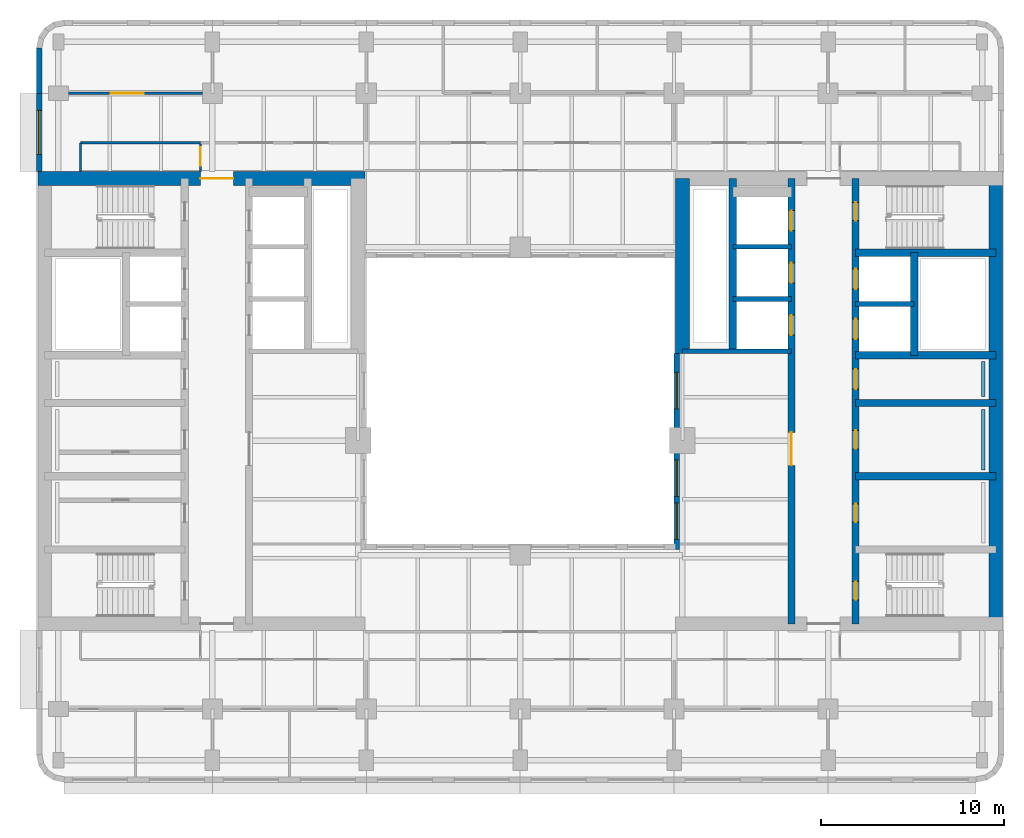
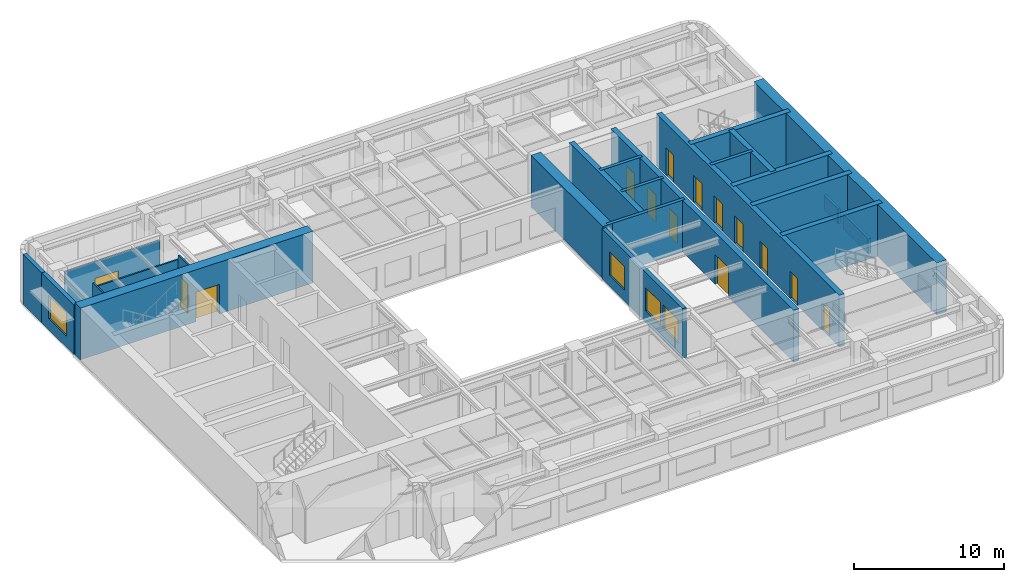
# One storey, part 6 of 11: 24 walls, 14 doors, 4 windows, 18 openings.
"""IFC4 building model written with IfcOpenShell, lengths in metres."""

from ifc_helpers import new_model, si_unit, direction, frame, frame_2d, origin, place, context, subcontext, project, spatial, rectangle, extrude, material, layer, layer_set, type_object, element, fill, save


model = new_model("IFC4")

# Units and contexts
model_context = context("Model", 3, precision=1e-05, world=origin(), true_north=direction((0.0, 1.0)))
body_context = subcontext(model_context, "Body", "Model", "MODEL_VIEW")
ifc_project = project(units=[si_unit("LENGTHUNIT", "METRE"), si_unit("AREAUNIT", "SQUARE_METRE"), si_unit("VOLUMEUNIT", "CUBIC_METRE"), si_unit("PLANEANGLEUNIT", "RADIAN"), si_unit("MASSUNIT", "GRAM", prefix="KILO")], contexts=[model_context])

# Site, building, storey
site_placement = place(None, origin())
site = spatial("IfcSite", under=ifc_project, at=site_placement, CompositionType="ELEMENT")
building_placement = place(site_placement, origin())
building = spatial("IfcBuilding", under=site, at=building_placement, Name="Claustro Exchange Tower", CompositionType="ELEMENT")
storey_placement = place(building_placement, frame((0.0, 0.0, 207.0)))
storey = spatial("IfcBuildingStorey", under=building, at=storey_placement, Name="L47", CompositionType="ELEMENT", Elevation=207.0)

# Wall, opening, door
ifc_material_1 = material(Name="Laminated glass in aluminium frame", Category="aluminium")
ifc_layer_1 = layer(ifc_material_1, 0.1201171875)
ifc_layer_set_1 = layer_set([ifc_layer_1], Name="Laminated glass in aluminium frame")
wall_type_1 = type_object("IfcWallType", Name="P2 120 glazed partition", PredefinedType="PARTITIONING", material=ifc_layer_set_1)
wall_1_placement = place(storey_placement, frame((0.549072265625, 42.0, 0.0), z_axis=(0.0, 0.0, 1.0), x_axis=(1.0, 0.0, 0.0)))
wall_1 = element("IfcWall", 1, at=wall_1_placement, inside=storey, type_object=wall_type_1, Name="Partition P2 L47", PredefinedType="PARTITIONING", context=body_context, shape_type="SweptSolid", body=[
    extrude(rectangle(XDim=7.302001953125, YDim=0.1201171875, at=frame_2d((3.65087890625, 0.0))), origin(), (0.0, 0.0, 1.0), 3.550048828125),
])
opening_1_placement = place(wall_1_placement, frame((2.301025390625, 0.0, 0.0)))
opening_1 = element("IfcOpeningElement", 2, at=opening_1_placement, cuts=wall_1, Name="Opening D2", PredefinedType="OPENING", context=body_context, shape_type="SweptSolid", body=[
    extrude(rectangle(XDim=1.800048828125, YDim=2.199951171875, at=frame_2d((0.89990234375, 1.10009765625))), frame((0.0, 0.070068359375, 0.0), z_axis=(0.0, -1.0, 0.0), x_axis=(1.0, 0.0, 0.0)), (0.0, 0.0, 1.0), 0.14013671875),
])
ifc_material_2 = material(Name="Timber door, oak veneer", Category="wood")
door_type_1 = type_object("IfcDoorType", Name="D2 1800 x 2200 double door", OperationType="DOUBLE_DOOR_SINGLE_SWING", PredefinedType="DOOR", material=ifc_material_2)
door_1_placement = place(opening_1_placement, origin())
door_1 = element("IfcDoor", 3, at=door_1_placement, inside=storey, type_object=door_type_1, Name="Double door D2 L47", OperationType="DOUBLE_DOOR_SINGLE_SWING", OverallHeight=2.199951171875, OverallWidth=1.800048828125, PredefinedType="DOOR", context=body_context, shape_type="SweptSolid", body=[
    extrude(rectangle(XDim=1.800048828125, YDim=2.199951171875, at=frame_2d((0.89990234375, 1.10009765625))), frame((0.0, 0.02490234375, 0.0), z_axis=(0.0, -1.0, 0.0), x_axis=(1.0, 0.0, 0.0)), (0.0, 0.0, 1.0), 0.050048828125),
])
fill(opening_1, door_1)

wall_2_placement = place(storey_placement, frame((7.75, 37.72412109375, 0.0), z_axis=(0.0, 0.0, 1.0), x_axis=(0.0, 1.0, 0.0)))
wall_2 = element("IfcWall", 4, at=wall_2_placement, inside=storey, type_object=wall_type_1, Name="Partition P2 L47", PredefinedType="PARTITIONING", context=body_context, shape_type="SweptSolid", body=[
    extrude(rectangle(XDim=1.517822265625, YDim=0.1201171875, at=frame_2d((0.7587890625, 0.0))), origin(), (0.0, 0.0, 1.0), 4.050048828125),
])
opening_2_placement = place(wall_2_placement, frame((0.325927734375, 0.0, 0.0)))
opening_2 = element("IfcOpeningElement", 5, at=opening_2_placement, cuts=wall_2, Name="Opening D7", PredefinedType="OPENING", context=body_context, shape_type="SweptSolid", body=[
    extrude(rectangle(XDim=1.0, YDim=2.39990234375, at=frame_2d((0.5, 1.199951171875))), frame((0.0, 0.070068359375, 0.0), z_axis=(0.0, -1.0, 0.0), x_axis=(1.0, 0.0, 0.0)), (0.0, 0.0, 1.0), 0.14013671875),
])
ifc_material_3 = material(Name="Glass door in aluminium frame", Category="aluminium")
door_type_2 = type_object("IfcDoorType", Name="D7 1000 x 2400 glazed door", OperationType="SINGLE_SWING_LEFT", PredefinedType="DOOR", material=ifc_material_3)
door_2_placement = place(opening_2_placement, origin())
door_2 = element("IfcDoor", 6, at=door_2_placement, inside=storey, type_object=door_type_2, Name="Door D7 L47", OperationType="SINGLE_SWING_LEFT", OverallHeight=2.39990234375, OverallWidth=1.0, PredefinedType="DOOR", context=body_context, shape_type="SweptSolid", body=[
    extrude(rectangle(XDim=1.0, YDim=2.39990234375, at=frame_2d((0.5, 1.199951171875))), frame((0.0, 0.02490234375, 0.0), z_axis=(0.0, -1.0, 0.0), x_axis=(1.0, 0.0, 0.0)), (0.0, 0.0, 1.0), 0.050048828125),
])
fill(opening_2, door_2)

# Walls
wall_3_placement = place(storey_placement, frame((1.199951171875, 39.300048828125, 0.0), z_axis=(0.0, 0.0, 1.0), x_axis=(1.0, 0.0, 0.0)))
element("IfcWall", 7, at=wall_3_placement, inside=storey, type_object=wall_type_1, Name="Partition P2 L47", PredefinedType="PARTITIONING", context=body_context, shape_type="SweptSolid", body=[
    extrude(rectangle(XDim=6.552001953125, YDim=0.1201171875, at=frame_2d((3.27587890625, 0.0))), origin(), (0.0, 0.0, 1.0), 3.68994140625),
])
wall_4_placement = place(storey_placement, frame((1.199951171875, 37.72412109375, 0.0), z_axis=(0.0, 0.0, 1.0), x_axis=(0.0, 1.0, 0.0)))
element("IfcWall", 8, at=wall_4_placement, inside=storey, type_object=wall_type_1, Name="Partition P2 L47", PredefinedType="PARTITIONING", context=body_context, shape_type="SweptSolid", body=[
    extrude(rectangle(XDim=1.575927734375, YDim=0.1201171875, at=frame_2d((0.7880859375, 0.0))), origin(), (0.0, 0.0, 1.0), 4.050048828125),
])

# Wall, opening, window
ifc_material_4 = material(Name="Concrete HA-40 (C40/50), precast, white cement, acid-etched", Category="concrete")
ifc_layer_2 = layer(ifc_material_4, 0.300048828125)
ifc_layer_set_2 = layer_set([ifc_layer_2], Name="Concrete HA-40 (C40/50), precast, white cement, acid-etched")
wall_type_2 = type_object("IfcWallType", Name="PC1 300 precast concrete pier panel", PredefinedType="SOLIDWALL", material=ifc_layer_set_2)
wall_5_placement = place(storey_placement, frame((-1.050048828125, 37.72509765625, 0.0), z_axis=(0.0, 0.0, 1.0), x_axis=(0.0, 1.0, 0.0)))
wall_5 = element("IfcWall", 9, at=wall_5_placement, inside=storey, type_object=wall_type_2, Name="Precast pier panel PC1 L47", PredefinedType="SOLIDWALL", context=body_context, shape_type="SweptSolid", body=[
    extrude(rectangle(XDim=4.27490234375, YDim=0.300048828125, at=frame_2d((2.137451171875, 0.0))), origin(), (0.0, 0.0, 1.0), 4.050048828125),
])
opening_3_placement = place(wall_5_placement, frame((0.9375, 0.0, 0.89990234375)))
opening_3 = element("IfcOpeningElement", 10, at=opening_3_placement, cuts=wall_5, Name="Opening W2", PredefinedType="OPENING", context=body_context, shape_type="SweptSolid", body=[
    extrude(rectangle(XDim=2.39990234375, YDim=1.89990234375, at=frame_2d((1.199951171875, 0.949951171875))), frame((0.0, 0.159912109375, 0.0), z_axis=(0.0, -1.0, 0.0), x_axis=(1.0, 0.0, 0.0)), (0.0, 0.0, 1.0), 0.320068359375),
])
ifc_material_5 = material(Name="Aluminium frame, clear double glazing", Category="aluminium")
window_type_1 = type_object("IfcWindowType", Name="W2 2400 x 1900 window", PartitioningType="SINGLE_PANEL", PredefinedType="WINDOW", material=ifc_material_5)
window_1_placement = place(opening_3_placement, origin())
window_1 = element("IfcWindow", 11, at=window_1_placement, inside=storey, type_object=window_type_1, Name="Window W2 L47", OverallHeight=1.89990234375, OverallWidth=2.39990234375, PartitioningType="SINGLE_PANEL", PredefinedType="WINDOW", context=body_context, shape_type="SweptSolid", body=[
    extrude(rectangle(XDim=2.39990234375, YDim=1.89990234375, at=frame_2d((1.199951171875, 0.949951171875))), frame((0.0, 0.030029296875, 0.0), z_axis=(0.0, -1.0, 0.0), x_axis=(1.0, 0.0, 0.0)), (0.0, 0.0, 1.0), 0.06005859375),
])
fill(opening_3, window_1)

# Wall
wall_6_placement = place(storey_placement, frame((-1.050048828125, 42.0, 0.0), z_axis=(0.0, 0.0, 1.0), x_axis=(0.0, 1.0, 0.0)))
element("IfcWall", 12, at=wall_6_placement, inside=storey, type_object=wall_type_2, Name="Precast pier panel PC1 L47", PredefinedType="SOLIDWALL", context=body_context, shape_type="SweptSolid", body=[
    extrude(rectangle(XDim=2.485107421875, YDim=0.300048828125, at=frame_2d((1.24267578125, 0.0))), origin(), (0.0, 0.0, 1.0), 4.050048828125),
])

# Wall, openings, windows
wall_7_placement = place(storey_placement, frame((33.75, 17.10009765625, 0.0), z_axis=(0.0, 0.0, 1.0), x_axis=(0.0, 1.0, 0.0)))
wall_7 = element("IfcWall", 13, at=wall_7_placement, inside=storey, type_object=wall_type_2, Name="Precast pier panel PC1 L47", PredefinedType="SOLIDWALL", context=body_context, shape_type="SweptSolid", body=[
    extrude(rectangle(XDim=10.699951171875, YDim=0.300048828125, at=frame_2d((5.35009765625, 0.0))), origin(), (0.0, 0.0, 1.0), 4.050048828125),
])
opening_4_placement = place(wall_7_placement, frame((0.550048828125, 0.0, 0.89990234375)))
opening_4 = element("IfcOpeningElement", 14, at=opening_4_placement, cuts=wall_7, Name="Opening W4", PredefinedType="OPENING", context=body_context, shape_type="SweptSolid", body=[
    extrude(rectangle(XDim=2.0, YDim=1.89990234375, at=frame_2d((1.0, 0.949951171875))), frame((0.0, 0.159912109375, 0.0), z_axis=(0.0, -1.0, 0.0), x_axis=(1.0, 0.0, 0.0)), (0.0, 0.0, 1.0), 0.320068359375),
])
opening_5_placement = place(wall_7_placement, frame((2.89990234375, 0.0, 0.89990234375)))
opening_5 = element("IfcOpeningElement", 15, at=opening_5_placement, cuts=wall_7, Name="Opening W4", PredefinedType="OPENING", context=body_context, shape_type="SweptSolid", body=[
    extrude(rectangle(XDim=2.0, YDim=1.89990234375, at=frame_2d((1.0, 0.949951171875))), frame((0.0, 0.159912109375, 0.0), z_axis=(0.0, -1.0, 0.0), x_axis=(1.0, 0.0, 0.0)), (0.0, 0.0, 1.0), 0.320068359375),
])
opening_6_placement = place(wall_7_placement, frame((7.675048828125, 0.0, 0.89990234375)))
opening_6 = element("IfcOpeningElement", 16, at=opening_6_placement, cuts=wall_7, Name="Opening W4", PredefinedType="OPENING", context=body_context, shape_type="SweptSolid", body=[
    extrude(rectangle(XDim=2.0, YDim=1.89990234375, at=frame_2d((1.0, 0.949951171875))), frame((0.0, 0.159912109375, 0.0), z_axis=(0.0, -1.0, 0.0), x_axis=(1.0, 0.0, 0.0)), (0.0, 0.0, 1.0), 0.320068359375),
])
ifc_material_6 = material(Name="Aluminium frame, clear double glazing", Category="aluminium")
window_type_2 = type_object("IfcWindowType", Name="W4 2000 x 1900 light well window", PartitioningType="SINGLE_PANEL", PredefinedType="WINDOW", material=ifc_material_6)
window_2_placement = place(opening_4_placement, origin())
window_2 = element("IfcWindow", 17, at=window_2_placement, inside=storey, type_object=window_type_2, Name="Window W4 L47", OverallHeight=1.89990234375, OverallWidth=2.0, PartitioningType="SINGLE_PANEL", PredefinedType="WINDOW", context=body_context, shape_type="SweptSolid", body=[
    extrude(rectangle(XDim=2.0, YDim=1.89990234375, at=frame_2d((1.0, 0.949951171875))), frame((0.0, 0.030029296875, 0.0), z_axis=(0.0, -1.0, 0.0), x_axis=(1.0, 0.0, 0.0)), (0.0, 0.0, 1.0), 0.06005859375),
])
fill(opening_4, window_2)
window_3_placement = place(opening_5_placement, origin())
window_3 = element("IfcWindow", 18, at=window_3_placement, inside=storey, type_object=window_type_2, Name="Window W4 L47", OverallHeight=1.89990234375, OverallWidth=2.0, PartitioningType="SINGLE_PANEL", PredefinedType="WINDOW", context=body_context, shape_type="SweptSolid", body=[
    extrude(rectangle(XDim=2.0, YDim=1.89990234375, at=frame_2d((1.0, 0.949951171875))), frame((0.0, 0.030029296875, 0.0), z_axis=(0.0, -1.0, 0.0), x_axis=(1.0, 0.0, 0.0)), (0.0, 0.0, 1.0), 0.06005859375),
])
fill(opening_5, window_3)
window_4_placement = place(opening_6_placement, origin())
window_4 = element("IfcWindow", 19, at=window_4_placement, inside=storey, type_object=window_type_2, Name="Window W4 L47", OverallHeight=1.89990234375, OverallWidth=2.0, PartitioningType="SINGLE_PANEL", PredefinedType="WINDOW", context=body_context, shape_type="SweptSolid", body=[
    extrude(rectangle(XDim=2.0, YDim=1.89990234375, at=frame_2d((1.0, 0.949951171875))), frame((0.0, 0.030029296875, 0.0), z_axis=(0.0, -1.0, 0.0), x_axis=(1.0, 0.0, 0.0)), (0.0, 0.0, 1.0), 0.06005859375),
])
fill(opening_6, window_4)

# Walls
ifc_material_7 = material(Name="Gypsum board on steel studs, tiled", Category="steel")
ifc_layer_3 = layer(ifc_material_7, 0.199951171875)
ifc_layer_set_3 = layer_set([ifc_layer_3], Name="Gypsum board on steel studs, tiled")
wall_type_3 = type_object("IfcWallType", Name="PW1 200 WC duct wall", PredefinedType="PLUMBINGWALL", material=ifc_layer_set_3)
wall_8_placement = place(storey_placement, frame((50.47509765625, 21.449951171875, 0.0), z_axis=(0.0, 0.0, 1.0), x_axis=(0.0, 1.0, 0.0)))
element("IfcWall", 20, at=wall_8_placement, inside=storey, type_object=wall_type_3, Name="WC duct wall PW1 L47", PredefinedType="PLUMBINGWALL", context=body_context, shape_type="SweptSolid", body=[
    extrude(rectangle(XDim=3.300048828125, YDim=0.199951171875, at=frame_2d((1.64990234375, 0.0))), origin(), (0.0, 0.0, 1.0), 1.199951171875),
])
wall_9_placement = place(storey_placement, frame((50.47509765625, 25.449951171875, 0.0), z_axis=(0.0, 0.0, 1.0), x_axis=(0.0, 1.0, 0.0)))
element("IfcWall", 21, at=wall_9_placement, inside=storey, type_object=wall_type_3, Name="WC duct wall PW1 L47", PredefinedType="PLUMBINGWALL", context=body_context, shape_type="SweptSolid", body=[
    extrude(rectangle(XDim=1.900146484375, YDim=0.199951171875, at=frame_2d((0.9501953125, 0.0))), origin(), (0.0, 0.0, 1.0), 1.199951171875),
])

# Wall, opening, door
ifc_material_8 = material(Name="Concrete HA-70 (C70/85)", Category="concrete")
ifc_layer_4 = layer(ifc_material_8, 0.75)
ifc_layer_set_4 = layer_set([ifc_layer_4], Name="Concrete HA-70 (C70/85)")
wall_type_4 = type_object("IfcWallType", Name="SW2 750 core shear wall", PredefinedType="SHEAR", material=ifc_layer_set_4)
wall_10_placement = place(storey_placement, frame((-1.125, 37.35009765625, 0.0), z_axis=(0.0, 0.0, 1.0), x_axis=(1.0, 0.0, 0.0)))
wall_10 = element("IfcWall", 22, at=wall_10_placement, inside=storey, type_object=wall_type_4, Name="Core wall SW2 W core N face L47", PredefinedType="SHEAR", context=body_context, shape_type="SweptSolid", body=[
    extrude(rectangle(XDim=17.85009765625, YDim=0.75, at=frame_2d((8.925048828125, 0.0))), origin(), (0.0, 0.0, 1.0), 4.199951171875),
])
opening_7_placement = place(wall_10_placement, frame((8.875, 0.0, 0.0)))
opening_7 = element("IfcOpeningElement", 23, at=opening_7_placement, cuts=wall_10, Name="Opening D3", PredefinedType="OPENING", context=body_context, shape_type="SweptSolid", body=[
    extrude(rectangle(XDim=1.800048828125, YDim=2.39990234375, at=frame_2d((0.89990234375, 1.199951171875))), frame((0.0, 0.385009765625, 0.0), z_axis=(0.0, -1.0, 0.0), x_axis=(1.0, 0.0, 0.0)), (0.0, 0.0, 1.0), 0.77001953125),
])
ifc_material_9 = material(Name="Steel fire door, painted", Category="steel")
door_type_3 = type_object("IfcDoorType", Name="D3 1800 x 2400 fire-rated lobby double door", OperationType="DOUBLE_DOOR_SINGLE_SWING", PredefinedType="DOOR", material=ifc_material_9)
door_3_placement = place(opening_7_placement, frame((1.800048828125, 0.0, 0.0), z_axis=(0.0, 0.0, 1.0), x_axis=(-1.0, 0.0, 0.0)))
door_3 = element("IfcDoor", 24, at=door_3_placement, inside=storey, type_object=door_type_3, Name="Lift lobby door D3 L47", OperationType="DOUBLE_DOOR_SINGLE_SWING", OverallHeight=2.39990234375, OverallWidth=1.800048828125, PredefinedType="DOOR", context=body_context, shape_type="SweptSolid", body=[
    extrude(rectangle(XDim=1.800048828125, YDim=2.39990234375, at=frame_2d((0.89990234375, 1.199951171875))), frame((0.0, 0.02490234375, 0.0), z_axis=(0.0, -1.0, 0.0), x_axis=(1.0, 0.0, 0.0)), (0.0, 0.0, 1.0), 0.050048828125),
])
fill(opening_7, door_3)

# Walls
ifc_material_10 = material(Name="Concrete HA-70 (C70/85)", Category="concrete")
ifc_layer_5 = layer(ifc_material_10, 0.75)
ifc_layer_set_5 = layer_set([ifc_layer_5], Name="Concrete HA-70 (C70/85)")
wall_type_5 = type_object("IfcWallType", Name="SW2X 750 exposed core shear wall, board-marked face", PredefinedType="SHEAR", material=ifc_layer_set_5)
wall_11_placement = place(storey_placement, frame((34.050048828125, 27.800048828125, 0.0), z_axis=(0.0, 0.0, 1.0), x_axis=(0.0, 1.0, 0.0)))
element("IfcWall", 25, at=wall_11_placement, inside=storey, type_object=wall_type_5, Name="Core wall SW2X E core W face L47", PredefinedType="SHEAR", context=body_context, shape_type="SweptSolid", body=[
    extrude(rectangle(XDim=9.550048828125, YDim=0.75, at=frame_2d((4.77490234375, 0.0))), origin(), (0.0, 0.0, 1.0), 4.199951171875),
])
wall_12_placement = place(storey_placement, frame((51.14990234375, 13.050048828125, 0.0), z_axis=(0.0, 0.0, 1.0), x_axis=(0.0, 1.0, 0.0)))
element("IfcWall", 26, at=wall_12_placement, inside=storey, type_object=wall_type_5, Name="Core wall SW2X E core E face L47", PredefinedType="SHEAR", context=body_context, shape_type="SweptSolid", body=[
    extrude(rectangle(XDim=24.300048828125, YDim=0.75, at=frame_2d((12.14990234375, 0.0))), origin(), (0.0, 0.0, 1.0), 4.199951171875),
])

# Wall, openings, doors
ifc_material_11 = material(Name="Concrete HA-50 (C50/60)", Category="concrete")
ifc_layer_6 = layer(ifc_material_11, 0.39990234375)
ifc_layer_set_6 = layer_set([ifc_layer_6], Name="Concrete HA-50 (C50/60)")
wall_type_6 = type_object("IfcWallType", Name="SW4 400 internal core wall", PredefinedType="SHEAR", material=ifc_layer_set_6)
wall_13_placement = place(storey_placement, frame((43.5, 13.050048828125, 0.0), z_axis=(0.0, 0.0, 1.0), x_axis=(0.0, 1.0, 0.0)))
wall_13 = element("IfcWall", 27, at=wall_13_placement, inside=storey, type_object=wall_type_6, Name="Internal core wall SW4 E core L47", PredefinedType="SHEAR", context=body_context, shape_type="SweptSolid", body=[
    extrude(rectangle(XDim=24.300048828125, YDim=0.39990234375, at=frame_2d((12.14990234375, 0.0))), origin(), (0.0, 0.0, 1.0), 4.199951171875),
])
opening_8_placement = place(wall_13_placement, frame((1.300048828125, 0.0, 0.0)))
opening_8 = element("IfcOpeningElement", 28, at=opening_8_placement, cuts=wall_13, Name="Opening D4", PredefinedType="OPENING", context=body_context, shape_type="SweptSolid", body=[
    extrude(rectangle(XDim=1.0, YDim=2.199951171875, at=frame_2d((0.5, 1.10009765625))), frame((0.0, 0.2099609375, 0.0), z_axis=(0.0, -1.0, 0.0), x_axis=(1.0, 0.0, 0.0)), (0.0, 0.0, 1.0), 0.419921875),
])
opening_9_placement = place(wall_13_placement, frame((22.0, 0.0, 0.0)))
opening_9 = element("IfcOpeningElement", 29, at=opening_9_placement, cuts=wall_13, Name="Opening D4", PredefinedType="OPENING", context=body_context, shape_type="SweptSolid", body=[
    extrude(rectangle(XDim=1.0, YDim=2.199951171875, at=frame_2d((0.5, 1.10009765625))), frame((0.0, 0.2099609375, 0.0), z_axis=(0.0, -1.0, 0.0), x_axis=(1.0, 0.0, 0.0)), (0.0, 0.0, 1.0), 0.419921875),
])
opening_10_placement = place(wall_13_placement, frame((5.550048828125, 0.0, 0.0)))
opening_10 = element("IfcOpeningElement", 30, at=opening_10_placement, cuts=wall_13, Name="Opening D1", PredefinedType="OPENING", context=body_context, shape_type="SweptSolid", body=[
    extrude(rectangle(XDim=1.0, YDim=2.199951171875, at=frame_2d((0.5, 1.10009765625))), frame((0.0, 0.2099609375, 0.0), z_axis=(0.0, -1.0, 0.0), x_axis=(1.0, 0.0, 0.0)), (0.0, 0.0, 1.0), 0.419921875),
])
opening_11_placement = place(wall_13_placement, frame((9.550048828125, 0.0, 0.0)))
opening_11 = element("IfcOpeningElement", 31, at=opening_11_placement, cuts=wall_13, Name="Opening D1", PredefinedType="OPENING", context=body_context, shape_type="SweptSolid", body=[
    extrude(rectangle(XDim=1.0, YDim=2.199951171875, at=frame_2d((0.5, 1.10009765625))), frame((0.0, 0.2099609375, 0.0), z_axis=(0.0, -1.0, 0.0), x_axis=(1.0, 0.0, 0.0)), (0.0, 0.0, 1.0), 0.419921875),
])
opening_12_placement = place(wall_13_placement, frame((12.800048828125, 0.0, 0.0)))
opening_12 = element("IfcOpeningElement", 32, at=opening_12_placement, cuts=wall_13, Name="Opening D10", PredefinedType="OPENING", context=body_context, shape_type="SweptSolid", body=[
    extrude(rectangle(XDim=1.10009765625, YDim=2.199951171875, at=frame_2d((0.550048828125, 1.10009765625))), frame((0.0, 0.2099609375, 0.0), z_axis=(0.0, -1.0, 0.0), x_axis=(1.0, 0.0, 0.0)), (0.0, 0.0, 1.0), 0.419921875),
])
opening_13_placement = place(wall_13_placement, frame((15.53759765625, 0.0, 0.0)))
opening_13 = element("IfcOpeningElement", 33, at=opening_13_placement, cuts=wall_13, Name="Opening LD", PredefinedType="OPENING", context=body_context, shape_type="SweptSolid", body=[
    extrude(rectangle(XDim=1.10009765625, YDim=2.199951171875, at=frame_2d((0.550048828125, 1.10009765625))), frame((0.0, 0.2099609375, 0.0), z_axis=(0.0, -1.0, 0.0), x_axis=(1.0, 0.0, 0.0)), (0.0, 0.0, 1.0), 0.419921875),
])
opening_14_placement = place(wall_13_placement, frame((18.262451171875, 0.0, 0.0)))
opening_14 = element("IfcOpeningElement", 34, at=opening_14_placement, cuts=wall_13, Name="Opening LD", PredefinedType="OPENING", context=body_context, shape_type="SweptSolid", body=[
    extrude(rectangle(XDim=1.10009765625, YDim=2.199951171875, at=frame_2d((0.550048828125, 1.10009765625))), frame((0.0, 0.2099609375, 0.0), z_axis=(0.0, -1.0, 0.0), x_axis=(1.0, 0.0, 0.0)), (0.0, 0.0, 1.0), 0.419921875),
])
ifc_material_12 = material(Name="Timber door, oak veneer", Category="wood")
door_type_4 = type_object("IfcDoorType", Name="D1 1000 x 2200 single door", OperationType="SINGLE_SWING_LEFT", PredefinedType="DOOR", material=ifc_material_12)
door_4_placement = place(opening_10_placement, frame((1.0, 0.0, 0.0), z_axis=(0.0, 0.0, 1.0), x_axis=(-1.0, 0.0, 0.0)))
door_4 = element("IfcDoor", 35, at=door_4_placement, inside=storey, type_object=door_type_4, Name="Door D1 L47", OperationType="SINGLE_SWING_LEFT", OverallHeight=2.199951171875, OverallWidth=1.0, PredefinedType="DOOR", context=body_context, shape_type="SweptSolid", body=[
    extrude(rectangle(XDim=1.0, YDim=2.199951171875, at=frame_2d((0.5, 1.10009765625))), frame((0.0, 0.02490234375, 0.0), z_axis=(0.0, -1.0, 0.0), x_axis=(1.0, 0.0, 0.0)), (0.0, 0.0, 1.0), 0.050048828125),
])
fill(opening_10, door_4)
door_5_placement = place(opening_11_placement, frame((1.0, 0.0, 0.0), z_axis=(0.0, 0.0, 1.0), x_axis=(-1.0, 0.0, 0.0)))
door_5 = element("IfcDoor", 36, at=door_5_placement, inside=storey, type_object=door_type_4, Name="Door D1 L47", OperationType="SINGLE_SWING_LEFT", OverallHeight=2.199951171875, OverallWidth=1.0, PredefinedType="DOOR", context=body_context, shape_type="SweptSolid", body=[
    extrude(rectangle(XDim=1.0, YDim=2.199951171875, at=frame_2d((0.5, 1.10009765625))), frame((0.0, 0.02490234375, 0.0), z_axis=(0.0, -1.0, 0.0), x_axis=(1.0, 0.0, 0.0)), (0.0, 0.0, 1.0), 0.050048828125),
])
fill(opening_11, door_5)
ifc_material_13 = material(Name="Timber door, oak veneer", Category="wood")
door_type_5 = type_object("IfcDoorType", Name="D10 1100 x 2200 accessible WC door", OperationType="SINGLE_SWING_LEFT", PredefinedType="DOOR", material=ifc_material_13)
door_6_placement = place(opening_12_placement, origin())
door_6 = element("IfcDoor", 37, at=door_6_placement, inside=storey, type_object=door_type_5, Name="Accessible WC door D10 L47", OperationType="SINGLE_SWING_RIGHT", OverallHeight=2.199951171875, OverallWidth=1.10009765625, PredefinedType="DOOR", context=body_context, shape_type="SweptSolid", body=[
    extrude(rectangle(XDim=1.10009765625, YDim=2.199951171875, at=frame_2d((0.550048828125, 1.10009765625))), frame((0.0, 0.02490234375, 0.0), z_axis=(0.0, -1.0, 0.0), x_axis=(1.0, 0.0, 0.0)), (0.0, 0.0, 1.0), 0.050048828125),
])
fill(opening_12, door_6)
ifc_material_14 = material(Name="Steel fire door, painted", Category="steel")
door_type_6 = type_object("IfcDoorType", Name="D4 1000 x 2200 fire-rated stair door", OperationType="SINGLE_SWING_LEFT", PredefinedType="DOOR", material=ifc_material_14)
door_7_placement = place(opening_8_placement, frame((1.0, 0.0, 0.0), z_axis=(0.0, 0.0, 1.0), x_axis=(-1.0, 0.0, 0.0)))
door_7 = element("IfcDoor", 38, at=door_7_placement, inside=storey, type_object=door_type_6, Name="Stair door D4 L47", OperationType="SINGLE_SWING_RIGHT", OverallHeight=2.199951171875, OverallWidth=1.0, PredefinedType="DOOR", context=body_context, shape_type="SweptSolid", body=[
    extrude(rectangle(XDim=1.0, YDim=2.199951171875, at=frame_2d((0.5, 1.10009765625))), frame((0.0, 0.02490234375, 0.0), z_axis=(0.0, -1.0, 0.0), x_axis=(1.0, 0.0, 0.0)), (0.0, 0.0, 1.0), 0.050048828125),
])
fill(opening_8, door_7)
door_8_placement = place(opening_9_placement, frame((1.0, 0.0, 0.0), z_axis=(0.0, 0.0, 1.0), x_axis=(-1.0, 0.0, 0.0)))
door_8 = element("IfcDoor", 39, at=door_8_placement, inside=storey, type_object=door_type_6, Name="Stair door D4 L47", OperationType="SINGLE_SWING_LEFT", OverallHeight=2.199951171875, OverallWidth=1.0, PredefinedType="DOOR", context=body_context, shape_type="SweptSolid", body=[
    extrude(rectangle(XDim=1.0, YDim=2.199951171875, at=frame_2d((0.5, 1.10009765625))), frame((0.0, 0.02490234375, 0.0), z_axis=(0.0, -1.0, 0.0), x_axis=(1.0, 0.0, 0.0)), (0.0, 0.0, 1.0), 0.050048828125),
])
fill(opening_9, door_8)
ifc_material_15 = material(Name="Stainless steel sliding door", Category="steel")
door_type_7 = type_object("IfcDoorType", Name="LD 1100 x 2200 lift landing door", OperationType="DOUBLE_DOOR_SLIDING", PredefinedType="DOOR", material=ifc_material_15)
door_9_placement = place(opening_13_placement, origin())
door_9 = element("IfcDoor", 40, at=door_9_placement, inside=storey, type_object=door_type_7, Name="Lift landing door LEE1 LD L47", OperationType="DOUBLE_DOOR_SLIDING", OverallHeight=2.199951171875, OverallWidth=1.10009765625, PredefinedType="DOOR", context=body_context, shape_type="SweptSolid", body=[
    extrude(rectangle(XDim=1.10009765625, YDim=2.199951171875, at=frame_2d((0.550048828125, 1.10009765625))), frame((0.0, 0.02490234375, 0.0), z_axis=(0.0, -1.0, 0.0), x_axis=(1.0, 0.0, 0.0)), (0.0, 0.0, 1.0), 0.050048828125),
])
fill(opening_13, door_9)
door_10_placement = place(opening_14_placement, origin())
door_10 = element("IfcDoor", 41, at=door_10_placement, inside=storey, type_object=door_type_7, Name="Lift landing door LEE2 LD L47", OperationType="DOUBLE_DOOR_SLIDING", OverallHeight=2.199951171875, OverallWidth=1.10009765625, PredefinedType="DOOR", context=body_context, shape_type="SweptSolid", body=[
    extrude(rectangle(XDim=1.10009765625, YDim=2.199951171875, at=frame_2d((0.550048828125, 1.10009765625))), frame((0.0, 0.02490234375, 0.0), z_axis=(0.0, -1.0, 0.0), x_axis=(1.0, 0.0, 0.0)), (0.0, 0.0, 1.0), 0.050048828125),
])
fill(opening_14, door_10)

wall_14_placement = place(storey_placement, frame((40.0, 13.050048828125, 0.0), z_axis=(0.0, 0.0, 1.0), x_axis=(0.0, 1.0, 0.0)))
wall_14 = element("IfcWall", 42, at=wall_14_placement, inside=storey, type_object=wall_type_6, Name="Internal core wall SW4 E core L47", PredefinedType="SHEAR", context=body_context, shape_type="SweptSolid", body=[
    extrude(rectangle(XDim=24.300048828125, YDim=0.39990234375, at=frame_2d((12.14990234375, 0.0))), origin(), (0.0, 0.0, 1.0), 4.199951171875),
])
opening_15_placement = place(wall_14_placement, frame((15.75, 0.0, 0.0)))
opening_15 = element("IfcOpeningElement", 43, at=opening_15_placement, cuts=wall_14, Name="Opening LD", PredefinedType="OPENING", context=body_context, shape_type="SweptSolid", body=[
    extrude(rectangle(XDim=1.10009765625, YDim=2.199951171875, at=frame_2d((0.550048828125, 1.10009765625))), frame((0.0, 0.2099609375, 0.0), z_axis=(0.0, -1.0, 0.0), x_axis=(1.0, 0.0, 0.0)), (0.0, 0.0, 1.0), 0.419921875),
])
opening_16_placement = place(wall_14_placement, frame((18.60009765625, 0.0, 0.0)))
opening_16 = element("IfcOpeningElement", 44, at=opening_16_placement, cuts=wall_14, Name="Opening LD", PredefinedType="OPENING", context=body_context, shape_type="SweptSolid", body=[
    extrude(rectangle(XDim=1.10009765625, YDim=2.199951171875, at=frame_2d((0.550048828125, 1.10009765625))), frame((0.0, 0.2099609375, 0.0), z_axis=(0.0, -1.0, 0.0), x_axis=(1.0, 0.0, 0.0)), (0.0, 0.0, 1.0), 0.419921875),
])
opening_17_placement = place(wall_14_placement, frame((21.449951171875, 0.0, 0.0)))
opening_17 = element("IfcOpeningElement", 45, at=opening_17_placement, cuts=wall_14, Name="Opening LD", PredefinedType="OPENING", context=body_context, shape_type="SweptSolid", body=[
    extrude(rectangle(XDim=1.10009765625, YDim=2.199951171875, at=frame_2d((0.550048828125, 1.10009765625))), frame((0.0, 0.2099609375, 0.0), z_axis=(0.0, -1.0, 0.0), x_axis=(1.0, 0.0, 0.0)), (0.0, 0.0, 1.0), 0.419921875),
])
opening_18_placement = place(wall_14_placement, frame((8.64990234375, 0.0, 0.0)))
opening_18 = element("IfcOpeningElement", 46, at=opening_18_placement, cuts=wall_14, Name="Opening D3", PredefinedType="OPENING", context=body_context, shape_type="SweptSolid", body=[
    extrude(rectangle(XDim=1.800048828125, YDim=2.39990234375, at=frame_2d((0.89990234375, 1.199951171875))), frame((0.0, 0.2099609375, 0.0), z_axis=(0.0, -1.0, 0.0), x_axis=(1.0, 0.0, 0.0)), (0.0, 0.0, 1.0), 0.419921875),
])
door_11_placement = place(opening_18_placement, origin())
door_11 = element("IfcDoor", 47, at=door_11_placement, inside=storey, type_object=door_type_3, Name="Core zone door D3 L47", OperationType="DOUBLE_DOOR_SINGLE_SWING", OverallHeight=2.39990234375, OverallWidth=1.800048828125, PredefinedType="DOOR", context=body_context, shape_type="SweptSolid", body=[
    extrude(rectangle(XDim=1.800048828125, YDim=2.39990234375, at=frame_2d((0.89990234375, 1.199951171875))), frame((0.0, 0.02490234375, 0.0), z_axis=(0.0, -1.0, 0.0), x_axis=(1.0, 0.0, 0.0)), (0.0, 0.0, 1.0), 0.050048828125),
])
fill(opening_18, door_11)
door_12_placement = place(opening_15_placement, origin())
door_12 = element("IfcDoor", 48, at=door_12_placement, inside=storey, type_object=door_type_7, Name="Lift landing door LHE1 LD L47", OperationType="DOUBLE_DOOR_SLIDING", OverallHeight=2.199951171875, OverallWidth=1.10009765625, PredefinedType="DOOR", context=body_context, shape_type="SweptSolid", body=[
    extrude(rectangle(XDim=1.10009765625, YDim=2.199951171875, at=frame_2d((0.550048828125, 1.10009765625))), frame((0.0, 0.02490234375, 0.0), z_axis=(0.0, -1.0, 0.0), x_axis=(1.0, 0.0, 0.0)), (0.0, 0.0, 1.0), 0.050048828125),
])
fill(opening_15, door_12)
door_13_placement = place(opening_16_placement, origin())
door_13 = element("IfcDoor", 49, at=door_13_placement, inside=storey, type_object=door_type_7, Name="Lift landing door LHE2 LD L47", OperationType="DOUBLE_DOOR_SLIDING", OverallHeight=2.199951171875, OverallWidth=1.10009765625, PredefinedType="DOOR", context=body_context, shape_type="SweptSolid", body=[
    extrude(rectangle(XDim=1.10009765625, YDim=2.199951171875, at=frame_2d((0.550048828125, 1.10009765625))), frame((0.0, 0.02490234375, 0.0), z_axis=(0.0, -1.0, 0.0), x_axis=(1.0, 0.0, 0.0)), (0.0, 0.0, 1.0), 0.050048828125),
])
fill(opening_16, door_13)
door_14_placement = place(opening_17_placement, origin())
door_14 = element("IfcDoor", 50, at=door_14_placement, inside=storey, type_object=door_type_7, Name="Lift landing door LSE1 LD L47", OperationType="DOUBLE_DOOR_SLIDING", OverallHeight=2.199951171875, OverallWidth=1.10009765625, PredefinedType="DOOR", context=body_context, shape_type="SweptSolid", body=[
    extrude(rectangle(XDim=1.10009765625, YDim=2.199951171875, at=frame_2d((0.550048828125, 1.10009765625))), frame((0.0, 0.02490234375, 0.0), z_axis=(0.0, -1.0, 0.0), x_axis=(1.0, 0.0, 0.0)), (0.0, 0.0, 1.0), 0.050048828125),
])
fill(opening_17, door_14)

# Walls
wall_15_placement = place(storey_placement, frame((36.800048828125, 27.925048828125, 0.0), z_axis=(0.0, 0.0, 1.0), x_axis=(0.0, 1.0, 0.0)))
element("IfcWall", 51, at=wall_15_placement, inside=storey, type_object=wall_type_6, Name="Internal core wall SW4 E core L47", PredefinedType="SHEAR", context=body_context, shape_type="SweptSolid", body=[
    extrude(rectangle(XDim=9.425048828125, YDim=0.39990234375, at=frame_2d((4.71240234375, 0.0))), origin(), (0.0, 0.0, 1.0), 4.199951171875),
])
for number, where, z_axis, x_axis, name in (
    (52, (51.14990234375, 21.10009765625, 0.0), (0.0, 0.0, 1.0), (-1.0, 0.0, 0.0), "Internal core wall SW4 E core L47"),
    (53, (51.14990234375, 25.10009765625, 0.0), (0.0, 0.0, 1.0), (-1.0, 0.0, 0.0), "Internal core wall SW4 E core L47"),
    (54, (51.14990234375, 27.699951171875, 0.0), (0.0, 0.0, 1.0), (-1.0, 0.0, 0.0), "Internal core wall SW4 E core L47"),
    (55, (51.14990234375, 33.300048828125, 0.0), (0.0, 0.0, 1.0), (-1.0, 0.0, 0.0), "Internal core wall SW4 E core L47"),
):
    element("IfcWall", number, at=place(storey_placement, frame(where, z_axis=z_axis, x_axis=x_axis)), inside=storey, type_object=wall_type_6, Name=name, PredefinedType="SHEAR", context=body_context, shape_type="SweptSolid", body=[
        extrude(rectangle(XDim=7.64990234375, YDim=0.39990234375, at=frame_2d((3.824951171875, 0.0))), origin(), (0.0, 0.0, 1.0), 4.199951171875),
    ])
wall_16_placement = place(storey_placement, frame((46.699951171875, 27.699951171875, 0.0), z_axis=(0.0, 0.0, 1.0), x_axis=(0.0, 1.0, 0.0)))
element("IfcWall", 56, at=wall_16_placement, inside=storey, type_object=wall_type_6, Name="Internal core wall SW4 E core L47", PredefinedType="SHEAR", context=body_context, shape_type="SweptSolid", body=[
    extrude(rectangle(XDim=5.60009765625, YDim=0.39990234375, at=frame_2d((2.800048828125, 0.0))), origin(), (0.0, 0.0, 1.0), 4.199951171875),
])
ifc_material_16 = material(Name="Concrete HA-50 (C50/60)", Category="concrete")
ifc_layer_7 = layer(ifc_material_16, 0.25)
ifc_layer_set_7 = layer_set([ifc_layer_7], Name="Concrete HA-50 (C50/60)")
wall_type_7 = type_object("IfcWallType", Name="SW5 250 lift shaft divider wall", PredefinedType="SHEAR", material=ifc_layer_set_7)
wall_17_placement = place(storey_placement, frame((46.699951171875, 30.5, 0.0), z_axis=(0.0, 0.0, 1.0), x_axis=(-1.0, 0.0, 0.0)))
element("IfcWall", 57, at=wall_17_placement, inside=storey, type_object=wall_type_7, Name="Lift shaft wall E core L47", PredefinedType="SHEAR", context=body_context, shape_type="SweptSolid", body=[
    extrude(rectangle(XDim=3.199951171875, YDim=0.25, at=frame_2d((1.60009765625, 0.0))), origin(), (0.0, 0.0, 1.0), 4.199951171875),
])
wall_18_placement = place(storey_placement, frame((40.0, 27.925048828125, 0.0), z_axis=(0.0, 0.0, 1.0), x_axis=(-1.0, 0.0, 0.0)))
element("IfcWall", 58, at=wall_18_placement, inside=storey, type_object=wall_type_7, Name="Core step wall E core L47", PredefinedType="SHEAR", context=body_context, shape_type="SweptSolid", body=[
    extrude(rectangle(XDim=5.949951171875, YDim=0.25, at=frame_2d((2.97509765625, 0.0))), origin(), (0.0, 0.0, 1.0), 4.199951171875),
])
for number, where, z_axis, x_axis, name in (
    (59, (40.0, 30.77490234375, 0.0), (0.0, 0.0, 1.0), (-1.0, 0.0, 0.0), "Lift shaft wall E core L47"),
    (60, (40.0, 33.625, 0.0), (0.0, 0.0, 1.0), (-1.0, 0.0, 0.0), "Lift shaft wall E core L47"),
):
    element("IfcWall", number, at=place(storey_placement, frame(where, z_axis=z_axis, x_axis=x_axis)), inside=storey, type_object=wall_type_7, Name=name, PredefinedType="SHEAR", context=body_context, shape_type="SweptSolid", body=[
        extrude(rectangle(XDim=3.199951171875, YDim=0.25, at=frame_2d((1.60009765625, 0.0))), origin(), (0.0, 0.0, 1.0), 4.199951171875),
    ])

save(model, "model.ifc")
